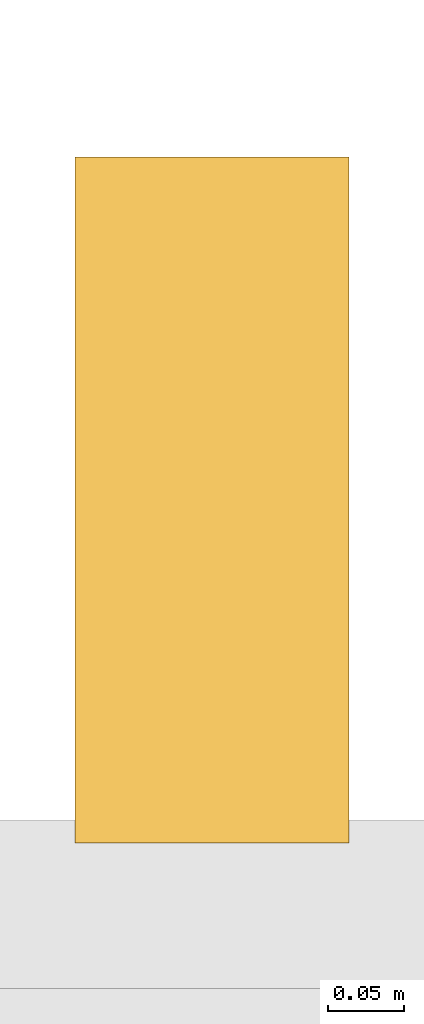
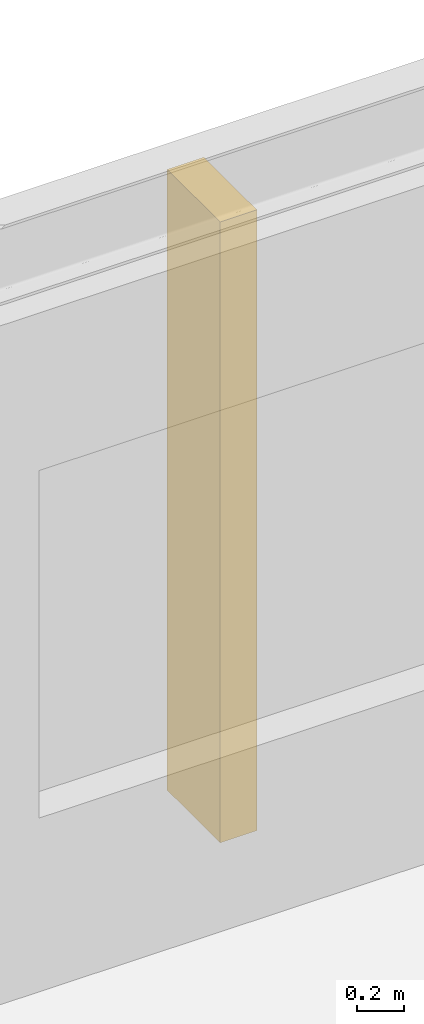
# One storey, part 113 of 113: 1 shading device.
"""IFC4 building model written with IfcOpenShell, lengths in metres."""

import ifcopenshell
import ifcopenshell.guid

model = None  # the IFC model being written
_history = None  # IfcOwnerHistory: only IFC2X3 demands one
_inside = {}  # id of a spatial element -> (the spatial element, [elements in it])
_under = {}  # id of a project, library or spatial element -> (it, [spatial elements below it])
_declared = {}  # id of a project -> (the project, [libraries it declares])
_typed = {}  # id of a type object -> (the type object, [elements of that type])
_made_of = {}  # id of a material, layer set ... -> (it, [elements and type objects made of it])


def new_model(schema):
    """Start an empty IFC model of exactly this schema.

    Asked for "IFC4X3", IfcOpenShell would pick the latest addendum, in which some entities
    have other attributes; the version numbers below select the first issue.
    IFC2X3 requires an IfcOwnerHistory on every rooted entity: one is made here for all.
    """
    global model, _history
    if schema == "IFC4X3":
        model = ifcopenshell.file(schema_version=(4, 3, 0, 0))
    else:
        model = ifcopenshell.file(schema=schema)
    _inside.clear()
    _under.clear()
    _declared.clear()
    _typed.clear()
    _made_of.clear()
    _history = None
    if model.schema == "IFC2X3":
        org = make("IfcOrganization", Name="unknown")
        user = make(
            "IfcPersonAndOrganization",
            ThePerson=make("IfcPerson", FamilyName="unknown"),
            TheOrganization=org,
        )
        app = make(
            "IfcApplication",
            ApplicationDeveloper=org,
            Version="unknown",
            ApplicationFullName="unknown",
            ApplicationIdentifier="unknown",
        )
        _history = make(
            "IfcOwnerHistory",
            OwningUser=user,
            OwningApplication=app,
            ChangeAction="ADDED",
            CreationDate=0,
        )
    return model


def make(cls, **values):
    """One entity of the class cls with the attributes given. An attribute that is None is left unset."""
    return model.create_entity(
        cls, **{name: value for name, value in values.items() if value is not None}
    )


def rooted(cls, **values):
    """An entity with a GlobalId (a new one), such as an element, a storey or a relation."""
    return make(cls, GlobalId=ifcopenshell.guid.new(), OwnerHistory=_history, **values)


def si_unit(unit_type, name, prefix=None):
    """IfcSIUnit, for example si_unit("LENGTHUNIT", "METRE", prefix="MILLI")."""
    return make("IfcSIUnit", UnitType=unit_type, Prefix=prefix, Name=name)


def assignment(units):
    """IfcUnitAssignment: the units of a project."""
    return None if units is None else make("IfcUnitAssignment", Units=units)


def point(xyz):
    """IfcCartesianPoint."""
    return None if xyz is None else make("IfcCartesianPoint", Coordinates=xyz)


def direction(xyz):
    """IfcDirection."""
    return None if xyz is None else make("IfcDirection", DirectionRatios=xyz)


def frame(location, z_axis=None, x_axis=None):
    """IfcAxis2Placement3D, a coordinate frame: its origin and axes. An axis left out is left unset."""
    return make(
        "IfcAxis2Placement3D",
        Location=point(location),
        Axis=direction(z_axis),
        RefDirection=direction(x_axis),
    )


def frame_2d(location, x_axis=None):
    """IfcAxis2Placement2D, a coordinate frame in the plane: its origin and x axis."""
    return make(
        "IfcAxis2Placement2D", Location=point(location), RefDirection=direction(x_axis)
    )


def origin():
    """The frame at (0, 0, 0) with its axes left unset."""
    return frame((0.0, 0.0, 0.0))


def origin_2d():
    """The frame at (0, 0) in the plane with its x axis left unset."""
    return frame_2d((0.0, 0.0))


def place(relative_to, where):
    """IfcLocalPlacement: puts the frame where relative to a parent placement (None: the world)."""
    return make(
        "IfcLocalPlacement", PlacementRelTo=relative_to, RelativePlacement=where
    )


def context(
    kind, dimensions, precision=None, world=None, true_north=None, identifier=None
):
    """IfcGeometricRepresentationContext, for example the 3D "Model" context."""
    return make(
        "IfcGeometricRepresentationContext",
        ContextIdentifier=identifier,
        ContextType=kind,
        CoordinateSpaceDimension=dimensions,
        Precision=precision,
        WorldCoordinateSystem=world,
        TrueNorth=true_north,
    )


def subcontext(parent, identifier, kind, view, scale=None):
    """IfcGeometricRepresentationSubContext, for example "Body" below "Model"."""
    return make(
        "IfcGeometricRepresentationSubContext",
        ContextIdentifier=identifier,
        ContextType=kind,
        ParentContext=parent,
        TargetScale=scale,
        TargetView=view,
    )


def project(units=None, contexts=None):
    """IfcProject with its units and contexts."""
    return rooted(
        "IfcProject",
        Name="project",
        RepresentationContexts=contexts,
        UnitsInContext=assignment(units),
    )


def spatial(cls, under=None, at=None, **own):
    """A site, building, storey or space (cls), placed at a placement, below another one or the project."""
    s = rooted(cls, ObjectPlacement=at, **own)
    if under is not None:
        _under.setdefault(under.id(), (under, []))[1].append(s)
    return s


def profile(cls, at=None, kind="AREA", **sizes):
    """A parametric profile (cls). Its sizes go by their IFC names, for example OverallWidth=200.0."""
    return make(cls, ProfileType=kind, Position=at, **sizes)


def rectangle(**sizes):
    """IfcRectangleProfileDef."""
    return profile("IfcRectangleProfileDef", **sizes)


def extrude(swept, where, along, depth):
    """IfcExtrudedAreaSolid: the profile swept, set in the frame where, extruded along a direction by depth."""
    return make(
        "IfcExtrudedAreaSolid",
        SweptArea=swept,
        Position=where,
        ExtrudedDirection=direction(along),
        Depth=depth,
    )


def shape(context_of_items, identifier, shape_type, items):
    """IfcShapeRepresentation: the items that make up one representation, for example the "Body"."""
    return make(
        "IfcShapeRepresentation",
        ContextOfItems=context_of_items,
        RepresentationIdentifier=identifier,
        RepresentationType=shape_type,
        Items=items,
    )


def material(Name=None, Category=None):
    """IfcMaterial."""
    return make("IfcMaterial", Name=Name, Category=Category)


def made_of(thing, what):
    """Note that an element or type object is made of a material, layer set ...; save() writes the relation."""
    if what is not None:
        _made_of.setdefault(what.id(), (what, []))[1].append(thing)
    return thing


def type_object(cls, material=None, **own):
    """A type object (cls), such as IfcWallType, which elements share."""
    return made_of(rooted(cls, **own), material)


def element(
    cls,
    number,
    at=None,
    inside=None,
    cuts=None,
    type_object=None,
    material=None,
    context=None,
    identifier="Body",
    shape_type=None,
    held_by="IfcProductDefinitionShape",
    body=None,
    shapes=None,
    **own,
):
    """One element of the class cls, such as IfcWall. Its Tag is "e" and its number.

    at: its placement. inside: the storey or other place that contains it. cuts: it is an
    opening in that element (IfcRelVoidsElement). A single representation is given by context,
    identifier, shape_type and body (its items); several are given by shapes. held_by: the class
    of the entity that holds the representations. save() writes the other relations.
    """
    e = rooted(cls, Tag="e%d" % number, ObjectPlacement=at, **own)
    if body is not None:
        shapes = [shape(context, identifier, shape_type, body)]
    if shapes is not None:
        e.Representation = make(held_by, Representations=shapes)
    if inside is not None:
        _inside.setdefault(inside.id(), (inside, []))[1].append(e)
    if cuts is not None:
        rooted(
            "IfcRelVoidsElement", RelatingBuildingElement=cuts, RelatedOpeningElement=e
        )
    if type_object is not None:
        _typed.setdefault(type_object.id(), (type_object, []))[1].append(e)
    return made_of(e, material)


def aggregate(whole, parts):
    """IfcRelAggregates: a whole, such as a stair, and the parts it consists of."""
    return rooted("IfcRelAggregates", RelatingObject=whole, RelatedObjects=parts)


def save(model, path):
    """Write the relations noted so far, then the file.

    IfcRelAggregates (storeys below a building ...), IfcRelContainedInSpatialStructure (elements
    in a storey), IfcRelDefinesByType, IfcRelAssociatesMaterial and IfcRelDeclares: one each for
    every whole, place, type object, material and project.
    """
    for whole, parts in _under.values():
        aggregate(whole, parts)
    for where, things in _inside.values():
        rooted(
            "IfcRelContainedInSpatialStructure",
            RelatedElements=things,
            RelatingStructure=where,
        )
    for kind, things in _typed.values():
        rooted("IfcRelDefinesByType", RelatedObjects=things, RelatingType=kind)
    for what, things in _made_of.values():
        rooted("IfcRelAssociatesMaterial", RelatedObjects=things, RelatingMaterial=what)
    for by, libraries in _declared.values():
        rooted("IfcRelDeclares", RelatingContext=by, RelatedDefinitions=libraries)
    model.write(path)


model = new_model("IFC4")

# Units and contexts
model_context = context("Model", 3, precision=1e-05, world=origin(), true_north=direction((0.0, 1.0)))
body_context = subcontext(model_context, "Body", "Model", "MODEL_VIEW")
ifc_project = project(units=[si_unit("LENGTHUNIT", "METRE"), si_unit("AREAUNIT", "SQUARE_METRE"), si_unit("VOLUMEUNIT", "CUBIC_METRE"), si_unit("PLANEANGLEUNIT", "RADIAN"), si_unit("MASSUNIT", "GRAM", prefix="KILO")], contexts=[model_context])

# Site, building, storey
site_placement = place(None, origin())
site = spatial("IfcSite", under=ifc_project, at=site_placement, CompositionType="ELEMENT")
building_placement = place(site_placement, origin())
building = spatial("IfcBuilding", under=site, at=building_placement, Name="Carrowvane Square Congress Hotel", CompositionType="ELEMENT")
storey_placement = place(building_placement, frame((0.0, 0.0, 15.0)))
storey = spatial("IfcBuildingStorey", under=building, at=storey_placement, Name="L03", CompositionType="ELEMENT", Elevation=15.0)

# Shading device
ifc_material = material(Name="Portland limestone cladding", Category="masonry")
shading_device_type = type_object("IfcShadingDeviceType", Name="SHD-FIN-LS", PredefinedType="USERDEFINED", material=ifc_material)
shading_device_placement = place(storey_placement, frame((180.800048828125, 92.2099609375, 0.14990234375), z_axis=(0.0, 0.0, 1.0), x_axis=(1.0, 0.0, 0.0)))
element("IfcShadingDevice", 1, at=shading_device_placement, inside=storey, type_object=shading_device_type, Name="Limestone brise-soleil fin 19", ObjectType="FIN", PredefinedType="USERDEFINED", context=body_context, shape_type="SweptSolid", body=[
    extrude(rectangle(XDim=0.179931640625, YDim=0.449951171875, at=origin_2d()), origin(), (0.0, 0.0, 1.0), 3.215576171875),
])

save(model, "model.ifc")
